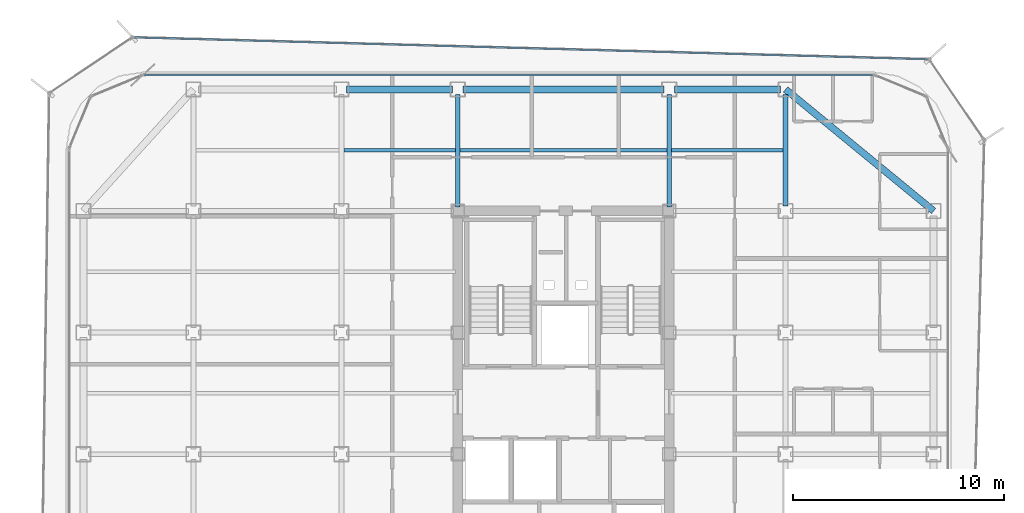
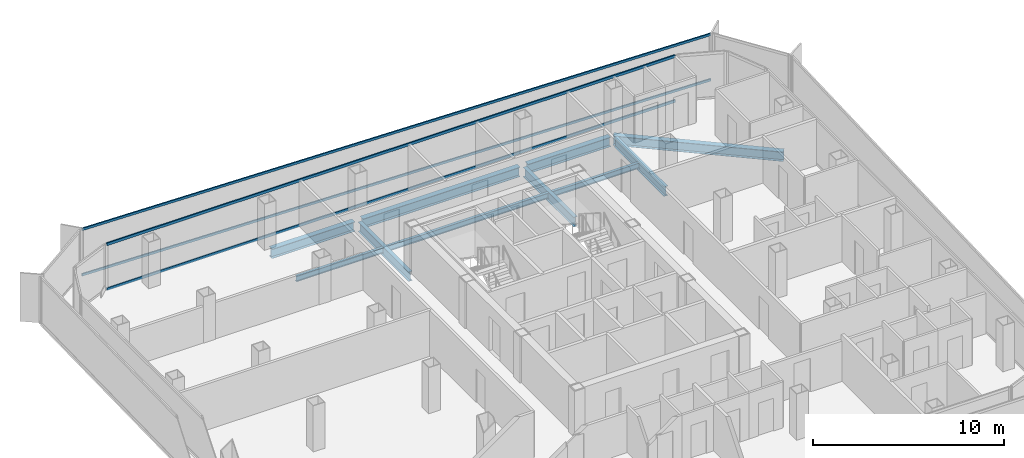
# One storey, part 7 of 16: 10 beams, 4 members, 2 elements without a shape of their own.
"""IFC4 building model written with IfcOpenShell, lengths in metres."""

from ifc_helpers import new_model, si_unit, direction, frame, origin, origin_2d, place, context, subcontext, project, spatial, hollow_rectangle, i_section, extrude, source, transform, mapped, material, layer, layer_set, material_profile, profile_set, type_object, element, aggregate, save


model = new_model("IFC4")

# Units and contexts
model_context = context("Model", 3, precision=1e-05, world=origin(), true_north=direction((0.0, 1.0)))
body_context = subcontext(model_context, "Body", "Model", "MODEL_VIEW")
ifc_project = project(units=[si_unit("LENGTHUNIT", "METRE"), si_unit("AREAUNIT", "SQUARE_METRE"), si_unit("VOLUMEUNIT", "CUBIC_METRE"), si_unit("PLANEANGLEUNIT", "RADIAN"), si_unit("MASSUNIT", "GRAM", prefix="KILO")], contexts=[model_context])

# Site, building, storey
site_placement = place(None, origin())
site = spatial("IfcSite", under=ifc_project, at=site_placement, CompositionType="ELEMENT")
building_placement = place(site_placement, origin())
building = spatial("IfcBuilding", under=site, at=building_placement, Name="Kolveth Station Tower", CompositionType="ELEMENT")
storey_placement = place(building_placement, frame((0.0, 0.0, 175.300048828125)))
storey = spatial("IfcBuildingStorey", under=building, at=storey_placement, Name="L49", CompositionType="ELEMENT", Elevation=175.300048828125)

# Beams
ifc_material_1 = material(Name="Steel S355", Category="steel")
ifc_material_profile_1 = material_profile(ifc_material_1, i_section(OverallWidth=0.323974609375, OverallDepth=0.611083984375, WebThickness=0.0126953125, FlangeThickness=0.01904296875, at=origin_2d()), Name="W610x155")
ifc_profile_set_1 = profile_set([ifc_material_profile_1], Name="Steel S355")
beam_type_1 = type_object("IfcBeamType", Name="Beam_SP2", PredefinedType="SPANDREL", material=ifc_profile_set_1)
shared_shape_1 = source(origin(), body_context, "Body", "SweptSolid", [
    extrude(i_section(OverallWidth=0.323974609375, OverallDepth=0.611083984375, WebThickness=0.0126953125, FlangeThickness=0.01904296875, at=origin_2d()), origin(), (0.0, 0.0, 1.0), 5.02001953125),
])
for number, where, z_axis, x_axis, name in (
    (1, (13.239990234375, 34.5, -0.5556640625), (1.0, 0.0, 0.0), (0.0, 1.0, 0.0), "L49 Perimeter Spandrel BM-L49-PN-2"),
    (2, (28.739990234375, 34.5, -0.5556640625), (1.0, 0.0, 0.0), (0.0, 1.0, 0.0), "L49 Perimeter Spandrel BM-L49-PN-4"),
):
    element("IfcBeam", number, at=place(storey_placement, frame(where, z_axis=z_axis, x_axis=x_axis)), inside=storey, type_object=beam_type_1, Name=name, PredefinedType="SPANDREL", context=body_context, shape_type="MappedRepresentation", body=[
        mapped(shared_shape_1, transform((0.0, 0.0, 0.0), x_axis=(1.0, 0.0, 0.0), y_axis=(0.0, 1.0, 0.0), z_axis=(0.0, 0.0, 1.0), scale=1.0)),
    ])
shared_shape_2 = source(origin(), body_context, "Body", "SweptSolid", [
    extrude(i_section(OverallWidth=0.323974609375, OverallDepth=0.611083984375, WebThickness=0.0126953125, FlangeThickness=0.01904296875, at=origin_2d()), origin(), (0.0, 0.0, 1.0), 9.52001953125),
])
beam_1_placement = place(storey_placement, frame((18.739990234375, 34.5, -0.5556640625), z_axis=(1.0, 0.0, 0.0), x_axis=(0.0, 1.0, 0.0)))
element("IfcBeam", 3, at=beam_1_placement, inside=storey, type_object=beam_type_1, Name="L49 Perimeter Spandrel BM-L49-PN-3", PredefinedType="SPANDREL", context=body_context, shape_type="MappedRepresentation", body=[
    mapped(shared_shape_2, transform((0.0, 0.0, 0.0), x_axis=(1.0, 0.0, 0.0), y_axis=(0.0, 1.0, 0.0), z_axis=(0.0, 0.0, 1.0), scale=1.0)),
])
shared_shape_3 = source(origin(), body_context, "Body", "SweptSolid", [
    extrude(i_section(OverallWidth=0.323974609375, OverallDepth=0.611083984375, WebThickness=0.0126953125, FlangeThickness=0.01904296875, at=origin_2d()), origin(), (0.0, 0.0, 1.0), 9.058837890625),
])
beam_2_placement = place(storey_placement, frame((41.0, 28.75, -0.5556640625), z_axis=(-0.772726254525, 0.63473942336, 0.0), x_axis=(-0.63473942336, -0.772726254525, 0.0)))
element("IfcBeam", 4, at=beam_2_placement, inside=storey, type_object=beam_type_1, Name="L49 Corner Edge Girder BM-L49-CNR-NE", PredefinedType="SPANDREL", context=body_context, shape_type="MappedRepresentation", body=[
    mapped(shared_shape_3, transform((0.0, 0.0, 0.0), x_axis=(1.0, 0.0, 0.0), y_axis=(0.0, 1.0, 0.0), z_axis=(0.0, 0.0, 1.0), scale=1.0)),
])
ifc_material_profile_2 = material_profile(ifc_material_1, i_section(OverallWidth=0.22900390625, OverallDepth=0.612060546875, WebThickness=0.011962890625, FlangeThickness=0.01953125, at=origin_2d()), Name="W610x125")
ifc_profile_set_2 = profile_set([ifc_material_profile_2], Name="Steel S355")
beam_type_2 = type_object("IfcBeamType", Name="Beam_B5", PredefinedType="BEAM", material=ifc_profile_set_2)
shared_shape_4 = source(origin(), body_context, "Body", "SweptSolid", [
    extrude(i_section(OverallWidth=0.22900390625, OverallDepth=0.612060546875, WebThickness=0.011962890625, FlangeThickness=0.01953125, at=origin_2d()), origin(), (0.0, 0.0, 1.0), 5.27001953125),
])
beam_3_placement = place(storey_placement, frame((34.0, 28.989990234375, -0.55615234375), z_axis=(0.0, 1.0, 0.0), x_axis=(-1.0, 0.0, 0.0)))
element("IfcBeam", 5, at=beam_3_placement, inside=storey, type_object=beam_type_2, Name="L49 Primary Girder BM-L49-GX340-6", PredefinedType="BEAM", context=body_context, shape_type="MappedRepresentation", body=[
    mapped(shared_shape_4, transform((0.0, 0.0, 0.0), x_axis=(1.0, 0.0, 0.0), y_axis=(0.0, 1.0, 0.0), z_axis=(0.0, 0.0, 1.0), scale=1.0)),
])
shared_shape_5 = source(origin(), body_context, "Body", "SweptSolid", [
    extrude(i_section(OverallWidth=0.22900390625, OverallDepth=0.612060546875, WebThickness=0.011962890625, FlangeThickness=0.01953125, at=origin_2d()), origin(), (0.0, 0.0, 1.0), 5.31005859375),
])
for number, where, z_axis, x_axis, name in (
    (6, (18.5, 28.949951171875, -0.55615234375), (0.0, 1.0, 0.0), (-1.0, 0.0, 0.0), "L49 Primary Girder BM-L49-GX185-6"),
    (7, (28.5, 28.949951171875, -0.55615234375), (0.0, 1.0, 0.0), (-1.0, 0.0, 0.0), "L49 Primary Girder BM-L49-GX285-6"),
):
    element("IfcBeam", number, at=place(storey_placement, frame(where, z_axis=z_axis, x_axis=x_axis)), inside=storey, type_object=beam_type_2, Name=name, PredefinedType="BEAM", context=body_context, shape_type="MappedRepresentation", body=[
        mapped(shared_shape_5, transform((0.0, 0.0, 0.0), x_axis=(1.0, 0.0, 0.0), y_axis=(0.0, 1.0, 0.0), z_axis=(0.0, 0.0, 1.0), scale=1.0)),
    ])
ifc_material_profile_3 = material_profile(ifc_material_1, i_section(OverallWidth=0.1708984375, OverallDepth=0.35205078125, WebThickness=0.0068359375, FlangeThickness=0.009765625, at=origin_2d()), Name="W360x44")
ifc_profile_set_3 = profile_set([ifc_material_profile_3], Name="Steel S355")
beam_type_3 = type_object("IfcBeamType", Name="Beam_J2", PredefinedType="JOIST", material=ifc_profile_set_3)
shared_shape_6 = source(origin(), body_context, "Body", "SweptSolid", [
    extrude(i_section(OverallWidth=0.1708984375, OverallDepth=0.35205078125, WebThickness=0.0068359375, FlangeThickness=0.009765625, at=origin_2d()), origin(), (0.0, 0.0, 1.0), 5.27490234375),
])
for number, where, z_axis, x_axis, name in (
    (8, (13.112548828125, 31.625, -0.426025390625), (1.0, 0.0, 0.0), (0.0, 1.0, 0.0), "L49 Secondary Joist JST-L49-3-6"),
    (9, (28.612548828125, 31.625, -0.426025390625), (1.0, 0.0, 0.0), (0.0, 1.0, 0.0), "L49 Secondary Joist JST-L49-5-6"),
):
    element("IfcBeam", number, at=place(storey_placement, frame(where, z_axis=z_axis, x_axis=x_axis)), inside=storey, type_object=beam_type_3, Name=name, PredefinedType="JOIST", context=body_context, shape_type="MappedRepresentation", body=[
        mapped(shared_shape_6, transform((0.0, 0.0, 0.0), x_axis=(1.0, 0.0, 0.0), y_axis=(0.0, 1.0, 0.0), z_axis=(0.0, 0.0, 1.0), scale=1.0)),
    ])
shared_shape_7 = source(origin(), body_context, "Body", "SweptSolid", [
    extrude(i_section(OverallWidth=0.1708984375, OverallDepth=0.35205078125, WebThickness=0.0068359375, FlangeThickness=0.009765625, at=origin_2d()), origin(), (0.0, 0.0, 1.0), 9.77490234375),
])
beam_4_placement = place(storey_placement, frame((18.612548828125, 31.625, -0.426025390625), z_axis=(1.0, 0.0, 0.0), x_axis=(0.0, 1.0, 0.0)))
element("IfcBeam", 10, at=beam_4_placement, inside=storey, type_object=beam_type_3, Name="L49 Secondary Joist JST-L49-4-6", PredefinedType="JOIST", context=body_context, shape_type="MappedRepresentation", body=[
    mapped(shared_shape_7, transform((0.0, 0.0, 0.0), x_axis=(1.0, 0.0, 0.0), y_axis=(0.0, 1.0, 0.0), z_axis=(0.0, 0.0, 1.0), scale=1.0)),
])

# Curtain wall, members
ifc_material_2 = material(Name="Aluminium 6063-T6 and low-E dark glass", Category="aluminium")
ifc_layer_1 = layer(ifc_material_2, 0.18994140625)
ifc_layer_set_1 = layer_set([ifc_layer_1], Name="Aluminium 6063-T6 and low-E dark glass")
curtain_wall_type_1 = type_object("IfcCurtainWallType", Name="CurtainWall_CW-Z2", PredefinedType="NOTDEFINED", material=ifc_layer_set_1)
curtain_wall_1_placement = place(storey_placement, origin())
curtain_wall_1 = element("IfcCurtainWall", 11, at=curtain_wall_1_placement, inside=storey, type_object=curtain_wall_type_1, Name="L49 Inner Thermal Curtain Wall 6", PredefinedType="NOTDEFINED")
ifc_material_3 = material(Name="Black anodized aluminium 6063-T6", Category="aluminium")
ifc_material_profile_4 = material_profile(ifc_material_3, hollow_rectangle(XDim=0.080078125, YDim=0.169921875, WallThickness=0.0048828125, at=origin_2d()), Name="ALU-80x170x5")
ifc_profile_set_4 = profile_set([ifc_material_profile_4], Name="Black anodized aluminium 6063-T6")
member_type_1 = type_object("IfcMemberType", Name="Transom_TR2", PredefinedType="USERDEFINED", material=ifc_profile_set_4)
shared_shape_8 = source(origin(), body_context, "Body", "SweptSolid", [
    extrude(hollow_rectangle(XDim=0.080078125, YDim=0.169921875, WallThickness=0.0048828125, at=origin_2d()), origin(), (0.0, 0.0, 1.0), 34.440185546875),
])
member_1_placement = place(storey_placement, frame((38.1201171875, 35.179931640625, 0.0400390625), z_axis=(-1.0, 0.0, 0.0), x_axis=(0.0, -1.0, 0.0)))
member_1 = element("IfcMember", 12, at=member_1_placement, type_object=member_type_1, Name="CW-Z2 transom 1.1", ObjectType="TRANSOM", PredefinedType="USERDEFINED", context=body_context, shape_type="MappedRepresentation", body=[
    mapped(shared_shape_8, transform((0.0, 0.0, 0.0), x_axis=(1.0, 0.0, 0.0), y_axis=(0.0, 1.0, 0.0), z_axis=(0.0, 0.0, 1.0), scale=1.0)),
])
member_2_placement = place(storey_placement, frame((38.1201171875, 35.179931640625, 2.909912109375), z_axis=(-1.0, 0.0, 0.0), x_axis=(0.0, -1.0, 0.0)))
member_2 = element("IfcMember", 13, at=member_2_placement, type_object=member_type_1, Name="CW-Z2 transom 1.2", ObjectType="TRANSOM", PredefinedType="USERDEFINED", context=body_context, shape_type="MappedRepresentation", body=[
    mapped(shared_shape_8, transform((0.0, 0.0, 0.0), x_axis=(1.0, 0.0, 0.0), y_axis=(0.0, 1.0, 0.0), z_axis=(0.0, 0.0, 1.0), scale=1.0)),
])
aggregate(curtain_wall_1, [member_1, member_2])

ifc_material_4 = material(Name="Black anodized aluminium 6063-T6 and dark solar glass", Category="aluminium")
ifc_layer_2 = layer(ifc_material_4, 0.159912109375)
ifc_layer_set_2 = layer_set([ifc_layer_2], Name="Black anodized aluminium 6063-T6 and dark solar glass")
curtain_wall_type_2 = type_object("IfcCurtainWallType", Name="OUTER SKIN CW-OS", PredefinedType="NOTDEFINED", material=ifc_layer_set_2)
curtain_wall_2_placement = place(storey_placement, origin())
curtain_wall_2 = element("IfcCurtainWall", 14, at=curtain_wall_2_placement, inside=storey, type_object=curtain_wall_type_2, Name="L49 Outer Ventilated Skin Curtain Wall 4", PredefinedType="NOTDEFINED")
ifc_material_profile_5 = material_profile(ifc_material_3, hollow_rectangle(XDim=0.080078125, YDim=0.14990234375, WallThickness=0.0048828125, at=origin_2d()), Name="ALU-80x150x5")
ifc_profile_set_5 = profile_set([ifc_material_profile_5], Name="Black anodized aluminium 6063-T6")
member_type_2 = type_object("IfcMemberType", Name="Transom_TR-OS", PredefinedType="USERDEFINED", material=ifc_profile_set_5)
shared_shape_9 = source(origin(), body_context, "Body", "SweptSolid", [
    extrude(hollow_rectangle(XDim=0.080078125, YDim=0.14990234375, WallThickness=0.0048828125, at=origin_2d()), origin(), (0.0, 0.0, 1.0), 37.5068359375),
])
member_3_placement = place(storey_placement, frame((40.702880859375, 35.923583984375, 0.0400390625), z_axis=(-0.99962032991, 0.027553512122, 0.0), x_axis=(-0.027553512122, -0.99962032991, 0.0)))
member_3 = element("IfcMember", 15, at=member_3_placement, type_object=member_type_2, Name="CW-OS transom 1.1", ObjectType="TRANSOM", PredefinedType="USERDEFINED", context=body_context, shape_type="MappedRepresentation", body=[
    mapped(shared_shape_9, transform((0.0, 0.0, 0.0), x_axis=(1.0, 0.0, 0.0), y_axis=(0.0, 1.0, 0.0), z_axis=(0.0, 0.0, 1.0), scale=1.0)),
])
member_4_placement = place(storey_placement, frame((40.702880859375, 35.923583984375, 2.949951171875), z_axis=(-0.99962032991, 0.027553512122, 0.0), x_axis=(-0.027553512122, -0.99962032991, 0.0)))
member_4 = element("IfcMember", 16, at=member_4_placement, type_object=member_type_2, Name="CW-OS transom 1.2", ObjectType="TRANSOM", PredefinedType="USERDEFINED", context=body_context, shape_type="MappedRepresentation", body=[
    mapped(shared_shape_9, transform((0.0, 0.0, 0.0), x_axis=(1.0, 0.0, 0.0), y_axis=(0.0, 1.0, 0.0), z_axis=(0.0, 0.0, 1.0), scale=1.0)),
])
aggregate(curtain_wall_2, [member_3, member_4])

save(model, "model.ifc")
